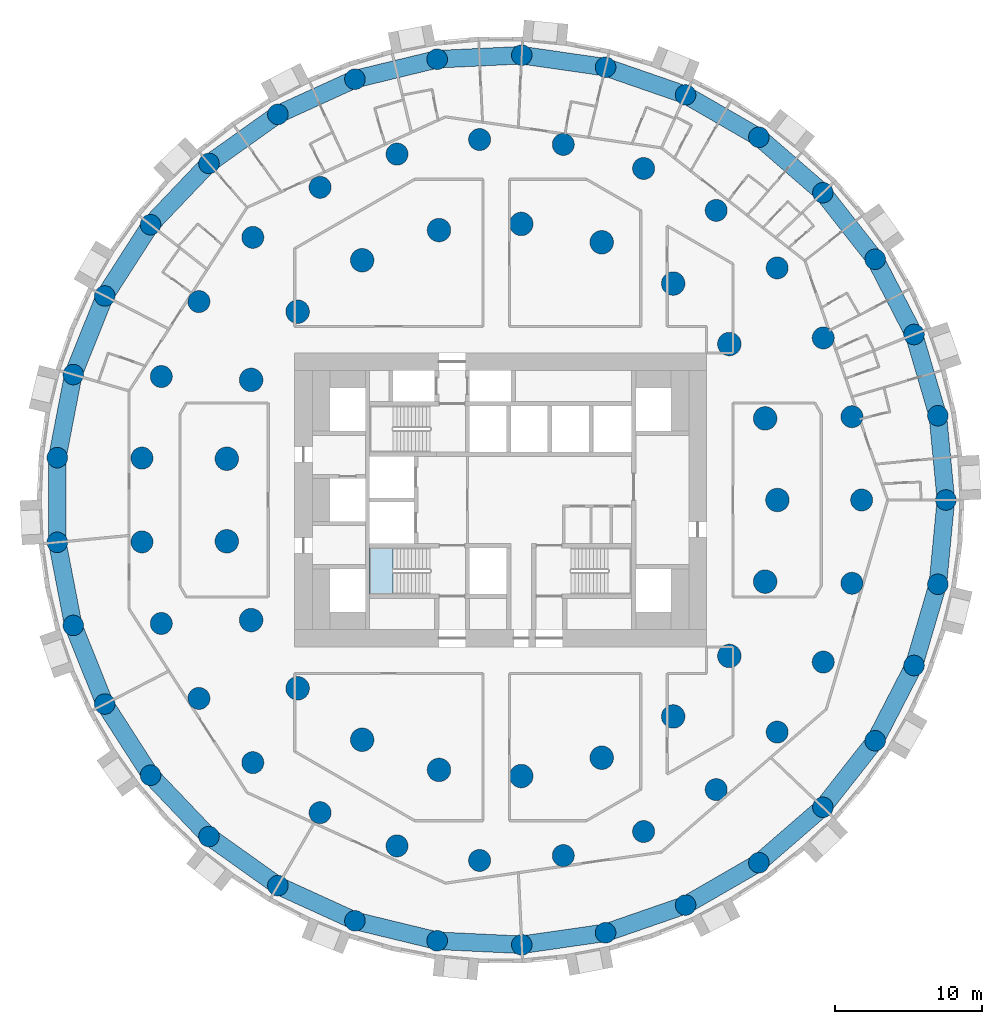
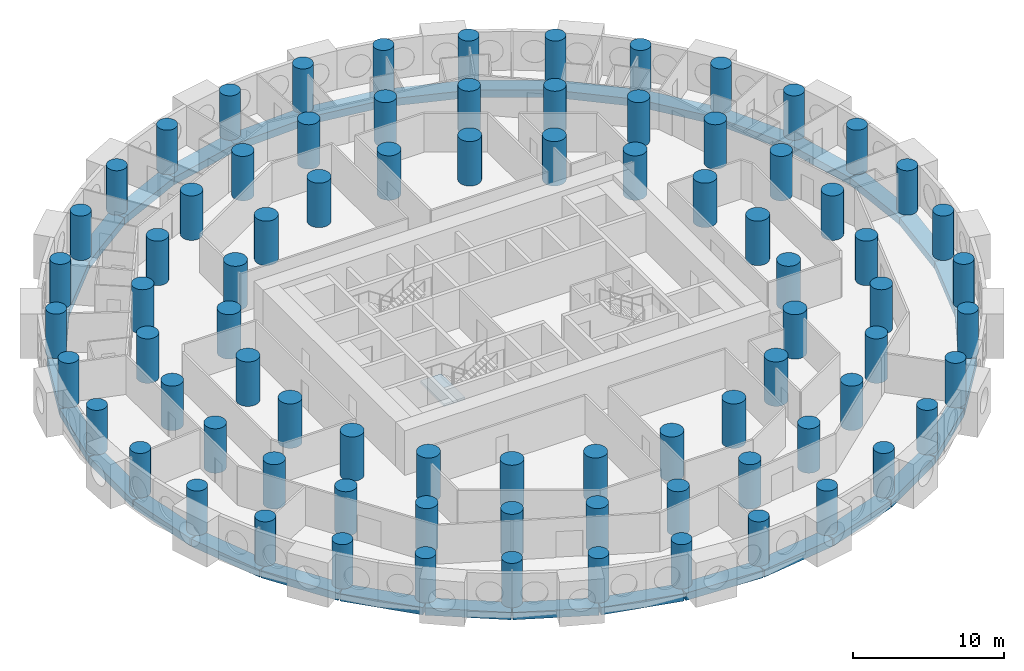
# One storey, part 1 of 12: 81 columns, 33 beams, 1 slab, 1 element without a shape of its own.
"""IFC4 building model written with IfcOpenShell, lengths in metres."""

from ifc_helpers import new_model, si_unit, direction, frame, origin, origin_2d, place, context, subcontext, project, spatial, polyline, rectangle, circle, outline, extrude, material, layer, layer_set, material_profile, profile_set, type_object, element, aggregate, save


model = new_model("IFC4")

# Units and contexts
model_context = context("Model", 3, precision=1e-05, world=origin(), true_north=direction((0.0, 1.0)))
body_context = subcontext(model_context, "Body", "Model", "MODEL_VIEW")
ifc_project = project(units=[si_unit("LENGTHUNIT", "METRE"), si_unit("AREAUNIT", "SQUARE_METRE"), si_unit("VOLUMEUNIT", "CUBIC_METRE"), si_unit("PLANEANGLEUNIT", "RADIAN"), si_unit("MASSUNIT", "GRAM", prefix="KILO")], contexts=[model_context])

# Site, building, storey
site_placement = place(None, origin())
site = spatial("IfcSite", under=ifc_project, at=site_placement, CompositionType="ELEMENT")
building_placement = place(site_placement, origin())
building = spatial("IfcBuilding", under=site, at=building_placement, Name="Tracery Tower", CompositionType="ELEMENT")
storey_placement = place(building_placement, frame((0.0, 0.0, 39.0)))
storey = spatial("IfcBuildingStorey", under=building, at=storey_placement, Name="L08", CompositionType="ELEMENT", Elevation=39.0)

# Columns
ifc_material_1 = material(Name="Concrete C60/75", Category="concrete")
ifc_material_profile_1 = material_profile(ifc_material_1, circle(Radius=0.699951171875, at=origin_2d()), Name="RC D1400")
ifc_profile_set_1 = profile_set([ifc_material_profile_1], Name="Concrete C60/75")
column_type_1 = type_object("IfcColumnType", Name="Ring 0 column 1400", PredefinedType="COLUMN", material=ifc_profile_set_1)
for number, where, z_axis, x_axis, name in (
    (1, (30.274658203125, 0.0, 0.0), (0.0, 0.0, 1.0), (1.0, 0.0, 0.0), "Ring 0 column 00 at L08"),
    (2, (29.7275390625, 5.7294921875, 0.0), (0.0, 0.0, 1.0), (1.0, 0.0, 0.0), "Ring 0 column 01 at L08"),
    (3, (28.10595703125, 11.251953125, 0.0), (0.0, 0.0, 1.0), (1.0, 0.0, 0.0), "Ring 0 column 02 at L08"),
    (4, (25.468505859375, 16.36767578125, 0.0), (0.0, 0.0, 1.0), (1.0, 0.0, 0.0), "Ring 0 column 03 at L08"),
    (5, (21.910888671875, 20.891845703125, 0.0), (0.0, 0.0, 1.0), (1.0, 0.0, 0.0), "Ring 0 column 04 at L08"),
    (6, (17.56103515625, 24.660888671875, 0.0), (0.0, 0.0, 1.0), (1.0, 0.0, 0.0), "Ring 0 column 05 at L08"),
    (7, (12.576416015625, 27.538818359375, 0.0), (0.0, 0.0, 1.0), (1.0, 0.0, 0.0), "Ring 0 column 06 at L08"),
    (8, (7.137451171875, 29.421142578125, 0.0), (0.0, 0.0, 1.0), (1.0, 0.0, 0.0), "Ring 0 column 07 at L08"),
    (9, (1.4404296875, 30.240234375, 0.0), (0.0, 0.0, 1.0), (1.0, 0.0, 0.0), "Ring 0 column 08 at L08"),
    (10, (-4.30859375, 29.96630859375, 0.0), (0.0, 0.0, 1.0), (1.0, 0.0, 0.0), "Ring 0 column 09 at L08"),
    (11, (-9.90185546875, 28.609619140625, 0.0), (0.0, 0.0, 1.0), (1.0, 0.0, 0.0), "Ring 0 column 10 at L08"),
    (12, (-15.13720703125, 26.218505859375, 0.0), (0.0, 0.0, 1.0), (1.0, 0.0, 0.0), "Ring 0 column 11 at L08"),
    (13, (-19.82568359375, 22.8798828125, 0.0), (0.0, 0.0, 1.0), (1.0, 0.0, 0.0), "Ring 0 column 12 at L08"),
    (14, (-23.79736328125, 18.714599609375, 0.0), (0.0, 0.0, 1.0), (1.0, 0.0, 0.0), "Ring 0 column 13 at L08"),
    (15, (-26.9091796875, 13.87255859375, 0.0), (0.0, 0.0, 1.0), (1.0, 0.0, 0.0), "Ring 0 column 14 at L08"),
    (16, (-29.04833984375, 8.529296875, 0.0), (0.0, 0.0, 1.0), (1.0, 0.0, 0.0), "Ring 0 column 15 at L08"),
    (17, (-30.137451171875, 2.877685546875, 0.0), (0.0, 0.0, 1.0), (1.0, 0.0, 0.0), "Ring 0 column 16 at L08"),
    (18, (-30.137451171875, -2.877685546875, 0.0), (0.0, 0.0, 1.0), (1.0, 0.0, 0.0), "Ring 0 column 17 at L08"),
    (19, (-29.04833984375, -8.529296875, 0.0), (0.0, 0.0, 1.0), (1.0, 0.0, 0.0), "Ring 0 column 18 at L08"),
    (20, (-26.9091796875, -13.87255859375, 0.0), (0.0, 0.0, 1.0), (1.0, 0.0, 0.0), "Ring 0 column 19 at L08"),
    (21, (-23.79736328125, -18.714599609375, 0.0), (0.0, 0.0, 1.0), (1.0, 0.0, 0.0), "Ring 0 column 20 at L08"),
    (22, (-19.82568359375, -22.8798828125, 0.0), (0.0, 0.0, 1.0), (1.0, 0.0, 0.0), "Ring 0 column 21 at L08"),
    (23, (-15.13720703125, -26.218505859375, 0.0), (0.0, 0.0, 1.0), (1.0, 0.0, 0.0), "Ring 0 column 22 at L08"),
    (24, (-9.90185546875, -28.609619140625, 0.0), (0.0, 0.0, 1.0), (1.0, 0.0, 0.0), "Ring 0 column 23 at L08"),
    (25, (-4.30859375, -29.96630859375, 0.0), (0.0, 0.0, 1.0), (1.0, 0.0, 0.0), "Ring 0 column 24 at L08"),
    (26, (1.4404296875, -30.240234375, 0.0), (0.0, 0.0, 1.0), (1.0, 0.0, 0.0), "Ring 0 column 25 at L08"),
    (27, (7.137451171875, -29.421142578125, 0.0), (0.0, 0.0, 1.0), (1.0, 0.0, 0.0), "Ring 0 column 26 at L08"),
    (28, (12.576416015625, -27.538818359375, 0.0), (0.0, 0.0, 1.0), (1.0, 0.0, 0.0), "Ring 0 column 27 at L08"),
    (29, (17.56103515625, -24.660888671875, 0.0), (0.0, 0.0, 1.0), (1.0, 0.0, 0.0), "Ring 0 column 28 at L08"),
    (30, (21.910888671875, -20.891845703125, 0.0), (0.0, 0.0, 1.0), (1.0, 0.0, 0.0), "Ring 0 column 29 at L08"),
    (31, (25.468505859375, -16.36767578125, 0.0), (0.0, 0.0, 1.0), (1.0, 0.0, 0.0), "Ring 0 column 30 at L08"),
    (32, (28.10595703125, -11.251953125, 0.0), (0.0, 0.0, 1.0), (1.0, 0.0, 0.0), "Ring 0 column 31 at L08"),
    (33, (29.7275390625, -5.7294921875, 0.0), (0.0, 0.0, 1.0), (1.0, 0.0, 0.0), "Ring 0 column 32 at L08"),
):
    element("IfcColumn", number, at=place(storey_placement, frame(where, z_axis=z_axis, x_axis=x_axis)), inside=storey, type_object=column_type_1, Name=name, PredefinedType="COLUMN", context=body_context, shape_type="SweptSolid", body=[
        extrude(circle(Radius=0.699951171875, at=origin_2d()), origin(), (0.0, 0.0, 1.0), 3.60009765625),
    ])
ifc_material_2 = material(Name="Concrete C60/75", Category="concrete")
ifc_material_profile_2 = material_profile(ifc_material_2, circle(Radius=0.75, at=origin_2d()), Name="RC D1500")
ifc_profile_set_2 = profile_set([ifc_material_profile_2], Name="Concrete C60/75")
column_type_2 = type_object("IfcColumnType", Name="Ring 1 column 1500", PredefinedType="COLUMN", material=ifc_profile_set_2)
for number, where, z_axis, x_axis, name in (
    (34, (24.547607421875, 0.0, 0.0), (0.0, 0.0, 1.0), (1.0, 0.0, 0.0), "Ring 1 column 00 at L08"),
    (35, (23.885986328125, 5.6611328125, 0.0), (0.0, 0.0, 1.0), (1.0, 0.0, 0.0), "Ring 1 column 01 at L08"),
    (36, (21.9365234375, 11.01708984375, 0.0), (0.0, 0.0, 1.0), (1.0, 0.0, 0.0), "Ring 1 column 02 at L08"),
    (37, (18.8046875, 15.779052734375, 0.0), (0.0, 0.0, 1.0), (1.0, 0.0, 0.0), "Ring 1 column 03 at L08"),
    (38, (14.658935546875, 19.690185546875, 0.0), (0.0, 0.0, 1.0), (1.0, 0.0, 0.0), "Ring 1 column 04 at L08"),
    (39, (9.722900390625, 22.5400390625, 0.0), (0.0, 0.0, 1.0), (1.0, 0.0, 0.0), "Ring 1 column 05 at L08"),
    (40, (4.2626953125, 24.1748046875, 0.0), (0.0, 0.0, 1.0), (1.0, 0.0, 0.0), "Ring 1 column 06 at L08"),
    (41, (-1.42724609375, 24.506103515625, 0.0), (0.0, 0.0, 1.0), (1.0, 0.0, 0.0), "Ring 1 column 07 at L08"),
    (42, (-7.040283203125, 23.516357421875, 0.0), (0.0, 0.0, 1.0), (1.0, 0.0, 0.0), "Ring 1 column 08 at L08"),
    (43, (-12.273681640625, 21.2587890625, 0.0), (0.0, 0.0, 1.0), (1.0, 0.0, 0.0), "Ring 1 column 09 at L08"),
    (44, (-16.845703125, 17.855224609375, 0.0), (0.0, 0.0, 1.0), (1.0, 0.0, 0.0), "Ring 1 column 10 at L08"),
    (45, (-20.50927734375, 13.4892578125, 0.0), (0.0, 0.0, 1.0), (1.0, 0.0, 0.0), "Ring 1 column 11 at L08"),
    (46, (-23.0673828125, 8.395751953125, 0.0), (0.0, 0.0, 1.0), (1.0, 0.0, 0.0), "Ring 1 column 12 at L08"),
    (47, (-24.381591796875, 2.849853515625, 0.0), (0.0, 0.0, 1.0), (1.0, 0.0, 0.0), "Ring 1 column 13 at L08"),
    (48, (-24.381591796875, -2.849853515625, 0.0), (0.0, 0.0, 1.0), (1.0, 0.0, 0.0), "Ring 1 column 14 at L08"),
    (49, (-23.0673828125, -8.395751953125, 0.0), (0.0, 0.0, 1.0), (1.0, 0.0, 0.0), "Ring 1 column 15 at L08"),
    (50, (-20.50927734375, -13.4892578125, 0.0), (0.0, 0.0, 1.0), (1.0, 0.0, 0.0), "Ring 1 column 16 at L08"),
    (51, (-16.845703125, -17.85546875, 0.0), (0.0, 0.0, 1.0), (1.0, 0.0, 0.0), "Ring 1 column 17 at L08"),
    (52, (-12.27392578125, -21.2587890625, 0.0), (0.0, 0.0, 1.0), (1.0, 0.0, 0.0), "Ring 1 column 18 at L08"),
    (53, (-7.040283203125, -23.516357421875, 0.0), (0.0, 0.0, 1.0), (1.0, 0.0, 0.0), "Ring 1 column 19 at L08"),
    (54, (-1.42724609375, -24.506103515625, 0.0), (0.0, 0.0, 1.0), (1.0, 0.0, 0.0), "Ring 1 column 20 at L08"),
    (55, (4.2626953125, -24.1748046875, 0.0), (0.0, 0.0, 1.0), (1.0, 0.0, 0.0), "Ring 1 column 21 at L08"),
    (56, (9.722900390625, -22.5400390625, 0.0), (0.0, 0.0, 1.0), (1.0, 0.0, 0.0), "Ring 1 column 22 at L08"),
    (57, (14.658935546875, -19.690185546875, 0.0), (0.0, 0.0, 1.0), (1.0, 0.0, 0.0), "Ring 1 column 23 at L08"),
    (58, (18.8046875, -15.779052734375, 0.0), (0.0, 0.0, 1.0), (1.0, 0.0, 0.0), "Ring 1 column 24 at L08"),
    (59, (21.9365234375, -11.01708984375, 0.0), (0.0, 0.0, 1.0), (1.0, 0.0, 0.0), "Ring 1 column 25 at L08"),
    (60, (23.885986328125, -5.6611328125, 0.0), (0.0, 0.0, 1.0), (1.0, 0.0, 0.0), "Ring 1 column 26 at L08"),
):
    element("IfcColumn", number, at=place(storey_placement, frame(where, z_axis=z_axis, x_axis=x_axis)), inside=storey, type_object=column_type_2, Name=name, PredefinedType="COLUMN", context=body_context, shape_type="SweptSolid", body=[
        extrude(circle(Radius=0.75, at=origin_2d()), origin(), (0.0, 0.0, 1.0), 3.60009765625),
    ])
ifc_material_3 = material(Name="Concrete C60/75", Category="concrete")
ifc_material_profile_3 = material_profile(ifc_material_3, circle(Radius=0.800048828125, at=origin_2d()), Name="RC D1600")
ifc_profile_set_3 = profile_set([ifc_material_profile_3], Name="Concrete C60/75")
column_type_3 = type_object("IfcColumnType", Name="Ring 2 column 1600", PredefinedType="COLUMN", material=ifc_profile_set_3)
for number, where, z_axis, x_axis, name in (
    (61, (18.822265625, 0.0, 0.0), (0.0, 0.0, 1.0), (1.0, 0.0, 0.0), "Ring 2 column 00 at L08"),
    (62, (17.986083984375, 5.5478515625, 0.0), (0.0, 0.0, 1.0), (1.0, 0.0, 0.0), "Ring 2 column 01 at L08"),
    (63, (15.551513671875, 10.602783203125, 0.0), (0.0, 0.0, 1.0), (1.0, 0.0, 0.0), "Ring 2 column 02 at L08"),
    (64, (11.7353515625, 14.7158203125, 0.0), (0.0, 0.0, 1.0), (1.0, 0.0, 0.0), "Ring 2 column 03 at L08"),
    (65, (6.87646484375, 17.52099609375, 0.0), (0.0, 0.0, 1.0), (1.0, 0.0, 0.0), "Ring 2 column 04 at L08"),
    (66, (1.406494140625, 18.76953125, 0.0), (0.0, 0.0, 1.0), (1.0, 0.0, 0.0), "Ring 2 column 05 at L08"),
    (67, (-4.188232421875, 18.350341796875, 0.0), (0.0, 0.0, 1.0), (1.0, 0.0, 0.0), "Ring 2 column 06 at L08"),
    (68, (-9.4111328125, 16.300537109375, 0.0), (0.0, 0.0, 1.0), (1.0, 0.0, 0.0), "Ring 2 column 07 at L08"),
    (69, (-13.797607421875, 12.802490234375, 0.0), (0.0, 0.0, 1.0), (1.0, 0.0, 0.0), "Ring 2 column 08 at L08"),
    (70, (-16.958251953125, 8.16650390625, 0.0), (0.0, 0.0, 1.0), (1.0, 0.0, 0.0), "Ring 2 column 09 at L08"),
    (71, (-18.612060546875, 2.805419921875, 0.0), (0.0, 0.0, 1.0), (1.0, 0.0, 0.0), "Ring 2 column 10 at L08"),
    (72, (-18.612060546875, -2.805419921875, 0.0), (0.0, 0.0, 1.0), (1.0, 0.0, 0.0), "Ring 2 column 11 at L08"),
    (73, (-16.958251953125, -8.166748046875, 0.0), (0.0, 0.0, 1.0), (1.0, 0.0, 0.0), "Ring 2 column 12 at L08"),
    (74, (-13.797607421875, -12.80224609375, 0.0), (0.0, 0.0, 1.0), (1.0, 0.0, 0.0), "Ring 2 column 13 at L08"),
    (75, (-9.4111328125, -16.300537109375, 0.0), (0.0, 0.0, 1.0), (1.0, 0.0, 0.0), "Ring 2 column 14 at L08"),
    (76, (-4.188232421875, -18.350341796875, 0.0), (0.0, 0.0, 1.0), (1.0, 0.0, 0.0), "Ring 2 column 15 at L08"),
    (77, (1.406494140625, -18.76953125, 0.0), (0.0, 0.0, 1.0), (1.0, 0.0, 0.0), "Ring 2 column 16 at L08"),
    (78, (6.87646484375, -17.52099609375, 0.0), (0.0, 0.0, 1.0), (1.0, 0.0, 0.0), "Ring 2 column 17 at L08"),
    (79, (11.7353515625, -14.7158203125, 0.0), (0.0, 0.0, 1.0), (1.0, 0.0, 0.0), "Ring 2 column 18 at L08"),
    (80, (15.551513671875, -10.602783203125, 0.0), (0.0, 0.0, 1.0), (1.0, 0.0, 0.0), "Ring 2 column 19 at L08"),
    (81, (17.986083984375, -5.5478515625, 0.0), (0.0, 0.0, 1.0), (1.0, 0.0, 0.0), "Ring 2 column 20 at L08"),
):
    element("IfcColumn", number, at=place(storey_placement, frame(where, z_axis=z_axis, x_axis=x_axis)), inside=storey, type_object=column_type_3, Name=name, PredefinedType="COLUMN", context=body_context, shape_type="SweptSolid", body=[
        extrude(circle(Radius=0.800048828125, at=origin_2d()), origin(), (0.0, 0.0, 1.0), 3.60009765625),
    ])

# Beams
ifc_material_4 = material(Name="Concrete C60/75", Category="concrete")
ifc_material_profile_4 = material_profile(ifc_material_4, rectangle(XDim=1.199951171875, YDim=0.60009765625, at=origin_2d()), Name="RC 1200x600")
ifc_profile_set_4 = profile_set([ifc_material_profile_4], Name="Concrete C60/75")
beam_type = type_object("IfcBeamType", Name="Perimeter band beam 1200x600", PredefinedType="BEAM", material=ifc_profile_set_4)
for number, where, z_axis, x_axis, name in (
    (82, (30.274658203125, 0.0, -0.75), (-0.095059309677, 0.995471610667, 0.0), (-0.995471610667, -0.095059309677, 0.0), "Perimeter beam 0.00 under L08"),
    (83, (29.7275390625, 5.7294921875, -0.75), (-0.281739145896, 0.959491038869, 0.0), (-0.959491038869, -0.281739145896, 0.0), "Perimeter beam 0.01 under L08"),
    (84, (28.10595703125, 11.251953125, -0.75), (-0.458242010493, 0.88882746347, 0.0), (-0.88882746347, -0.458242010493, 0.0), "Perimeter beam 0.02 under L08"),
):
    element("IfcBeam", number, at=place(storey_placement, frame(where, z_axis=z_axis, x_axis=x_axis)), inside=storey, type_object=beam_type, Name=name, PredefinedType="BEAM", context=body_context, shape_type="SweptSolid", body=[
        extrude(rectangle(XDim=1.199951171875, YDim=0.60009765625, at=origin_2d()), origin(), (0.0, 0.0, 1.0), 5.755615234375),
    ])
beam_1_placement = place(storey_placement, frame((25.468505859375, 16.36767578125, -0.75), z_axis=(-0.618134362257, 0.786072458618, 0.0), x_axis=(-0.786072458618, -0.618134362257, 0.0)))
element("IfcBeam", 85, at=beam_1_placement, inside=storey, type_object=beam_type, Name="Perimeter beam 0.03 under L08", PredefinedType="BEAM", context=body_context, shape_type="SweptSolid", body=[
    extrude(rectangle(XDim=1.199951171875, YDim=0.60009765625, at=origin_2d()), origin(), (0.0, 0.0, 1.0), 5.75537109375),
])
beam_2_placement = place(storey_placement, frame((21.910888671875, 20.891845703125, -0.75), z_axis=(-0.755760456715, 0.65484817482, 0.0), x_axis=(-0.65484817482, -0.755760456715, 0.0)))
element("IfcBeam", 86, at=beam_2_placement, inside=storey, type_object=beam_type, Name="Perimeter beam 0.04 under L08", PredefinedType="BEAM", context=body_context, shape_type="SweptSolid", body=[
    extrude(rectangle(XDim=1.199951171875, YDim=0.60009765625, at=origin_2d()), origin(), (0.0, 0.0, 1.0), 5.755615234375),
])
beam_3_placement = place(storey_placement, frame((17.56103515625, 24.660888671875, -0.75), z_axis=(-0.866021003874, 0.50000762079, 0.0), x_axis=(-0.50000762079, -0.866021003874, 0.0)))
element("IfcBeam", 87, at=beam_3_placement, inside=storey, type_object=beam_type, Name="Perimeter beam 0.05 under L08", PredefinedType="BEAM", context=body_context, shape_type="SweptSolid", body=[
    extrude(rectangle(XDim=1.199951171875, YDim=0.60009765625, at=origin_2d()), origin(), (0.0, 0.0, 1.0), 5.755859375),
])
beam_4_placement = place(storey_placement, frame((12.576416015625, 27.538818359375, -0.75), z_axis=(-0.945007252869, 0.327049372458, 0.0), x_axis=(-0.327049372458, -0.945007252869, 0.0)))
element("IfcBeam", 88, at=beam_4_placement, inside=storey, type_object=beam_type, Name="Perimeter beam 0.06 under L08", PredefinedType="BEAM", context=body_context, shape_type="SweptSolid", body=[
    extrude(rectangle(XDim=1.199951171875, YDim=0.60009765625, at=origin_2d()), origin(), (0.0, 0.0, 1.0), 5.75537109375),
])
for number, where, z_axis, x_axis, name in (
    (89, (7.137451171875, 29.421142578125, -0.75), (-0.989821839174, 0.142312075013, 0.0), (-0.142312075013, -0.989821839174, 0.0), "Perimeter beam 0.07 under L08"),
    (90, (1.4404296875, 30.240234375, -0.75), (-0.998866793759, -0.047593364303, 0.0), (0.047593364303, -0.998866793759, 0.0), "Perimeter beam 0.08 under L08"),
):
    element("IfcBeam", number, at=place(storey_placement, frame(where, z_axis=z_axis, x_axis=x_axis)), inside=storey, type_object=beam_type, Name=name, PredefinedType="BEAM", context=body_context, shape_type="SweptSolid", body=[
        extrude(rectangle(XDim=1.199951171875, YDim=0.60009765625, at=origin_2d()), origin(), (0.0, 0.0, 1.0), 5.755615234375),
    ])
beam_5_placement = place(storey_placement, frame((-4.30859375, 29.96630859375, -0.75), z_axis=(-0.971820371509, -0.235722645328, 0.0), x_axis=(0.235722645328, -0.971820371509, 0.0)))
element("IfcBeam", 91, at=beam_5_placement, inside=storey, type_object=beam_type, Name="Perimeter beam 0.09 under L08", PredefinedType="BEAM", context=body_context, shape_type="SweptSolid", body=[
    extrude(rectangle(XDim=1.199951171875, YDim=0.60009765625, at=origin_2d()), origin(), (0.0, 0.0, 1.0), 5.75537109375),
])
for number, where, z_axis, x_axis, name in (
    (92, (-9.90185546875, 28.609619140625, -0.75), (-0.909618316865, -0.415444963411, 0.0), (0.415444963411, -0.909618316865, 0.0), "Perimeter beam 0.10 under L08"),
    (93, (-15.13720703125, 26.218505859375, -0.75), (-0.8145780864, -0.580053912285, 0.0), (0.580053912285, -0.8145780864, 0.0), "Perimeter beam 0.11 under L08"),
):
    element("IfcBeam", number, at=place(storey_placement, frame(where, z_axis=z_axis, x_axis=x_axis)), inside=storey, type_object=beam_type, Name=name, PredefinedType="BEAM", context=body_context, shape_type="SweptSolid", body=[
        extrude(rectangle(XDim=1.199951171875, YDim=0.60009765625, at=origin_2d()), origin(), (0.0, 0.0, 1.0), 5.755615234375),
    ])
beam_6_placement = place(storey_placement, frame((-19.82568359375, 22.8798828125, -0.75), z_axis=(-0.690087218267, -0.723726212863, 0.0), x_axis=(0.723726212863, -0.690087218267, 0.0)))
element("IfcBeam", 94, at=beam_6_placement, inside=storey, type_object=beam_type, Name="Perimeter beam 0.12 under L08", PredefinedType="BEAM", context=body_context, shape_type="SweptSolid", body=[
    extrude(rectangle(XDim=1.199951171875, YDim=0.60009765625, at=origin_2d()), origin(), (0.0, 0.0, 1.0), 5.75537109375),
])
beam_7_placement = place(storey_placement, frame((-23.79736328125, 18.714599609375, -0.75), z_axis=(-0.540643964602, -0.841251510274, 0.0), x_axis=(0.841251510274, -0.540643964602, 0.0)))
element("IfcBeam", 95, at=beam_7_placement, inside=storey, type_object=beam_type, Name="Perimeter beam 0.13 under L08", PredefinedType="BEAM", context=body_context, shape_type="SweptSolid", body=[
    extrude(rectangle(XDim=1.199951171875, YDim=0.60009765625, at=origin_2d()), origin(), (0.0, 0.0, 1.0), 5.755859375),
])
for number, where, z_axis, x_axis, name in (
    (96, (-26.9091796875, 13.87255859375, -0.75), (-0.371668572289, -0.928365484264, 0.0), (0.928365484264, -0.371668572289, 0.0), "Perimeter beam 0.14 under L08"),
    (97, (-29.04833984375, 8.529296875, -0.75), (-0.189226539295, -0.981933458451, 0.0), (0.981933458451, -0.189226539295, 0.0), "Perimeter beam 0.15 under L08"),
):
    element("IfcBeam", number, at=place(storey_placement, frame(where, z_axis=z_axis, x_axis=x_axis)), inside=storey, type_object=beam_type, Name=name, PredefinedType="BEAM", context=body_context, shape_type="SweptSolid", body=[
        extrude(rectangle(XDim=1.199951171875, YDim=0.60009765625, at=origin_2d()), origin(), (0.0, 0.0, 1.0), 5.755615234375),
    ])
beam_8_placement = place(storey_placement, frame((-30.137451171875, 2.877685546875, -0.75), z_axis=(0.0, -1.0, 0.0), x_axis=(1.0, 0.0, 0.0)))
element("IfcBeam", 98, at=beam_8_placement, inside=storey, type_object=beam_type, Name="Perimeter beam 0.16 under L08", PredefinedType="BEAM", context=body_context, shape_type="SweptSolid", body=[
    extrude(rectangle(XDim=1.199951171875, YDim=0.60009765625, at=origin_2d()), origin(), (0.0, 0.0, 1.0), 5.75537109375),
])
for number, where, z_axis, x_axis, name in (
    (99, (-30.137451171875, -2.877685546875, -0.75), (0.189226539295, -0.981933458451, 0.0), (0.981933458451, 0.189226539295, 0.0), "Perimeter beam 0.17 under L08"),
    (100, (-29.04833984375, -8.529296875, -0.75), (0.371668572289, -0.928365484264, 0.0), (0.928365484264, 0.371668572289, 0.0), "Perimeter beam 0.18 under L08"),
):
    element("IfcBeam", number, at=place(storey_placement, frame(where, z_axis=z_axis, x_axis=x_axis)), inside=storey, type_object=beam_type, Name=name, PredefinedType="BEAM", context=body_context, shape_type="SweptSolid", body=[
        extrude(rectangle(XDim=1.199951171875, YDim=0.60009765625, at=origin_2d()), origin(), (0.0, 0.0, 1.0), 5.755615234375),
    ])
beam_9_placement = place(storey_placement, frame((-26.9091796875, -13.87255859375, -0.75), z_axis=(0.540643964602, -0.841251510274, 0.0), x_axis=(0.841251510274, 0.540643964602, 0.0)))
element("IfcBeam", 101, at=beam_9_placement, inside=storey, type_object=beam_type, Name="Perimeter beam 0.19 under L08", PredefinedType="BEAM", context=body_context, shape_type="SweptSolid", body=[
    extrude(rectangle(XDim=1.199951171875, YDim=0.60009765625, at=origin_2d()), origin(), (0.0, 0.0, 1.0), 5.755859375),
])
beam_10_placement = place(storey_placement, frame((-23.79736328125, -18.714599609375, -0.75), z_axis=(0.690087218267, -0.723726212863, 0.0), x_axis=(0.723726212863, 0.690087218267, 0.0)))
element("IfcBeam", 102, at=beam_10_placement, inside=storey, type_object=beam_type, Name="Perimeter beam 0.20 under L08", PredefinedType="BEAM", context=body_context, shape_type="SweptSolid", body=[
    extrude(rectangle(XDim=1.199951171875, YDim=0.60009765625, at=origin_2d()), origin(), (0.0, 0.0, 1.0), 5.75537109375),
])
for number, where, z_axis, x_axis, name in (
    (103, (-19.82568359375, -22.8798828125, -0.75), (0.8145780864, -0.580053912285, 0.0), (0.580053912285, 0.8145780864, 0.0), "Perimeter beam 0.21 under L08"),
    (104, (-15.13720703125, -26.218505859375, -0.75), (0.909618316865, -0.415444963411, 0.0), (0.415444963411, 0.909618316865, 0.0), "Perimeter beam 0.22 under L08"),
):
    element("IfcBeam", number, at=place(storey_placement, frame(where, z_axis=z_axis, x_axis=x_axis)), inside=storey, type_object=beam_type, Name=name, PredefinedType="BEAM", context=body_context, shape_type="SweptSolid", body=[
        extrude(rectangle(XDim=1.199951171875, YDim=0.60009765625, at=origin_2d()), origin(), (0.0, 0.0, 1.0), 5.755615234375),
    ])
beam_11_placement = place(storey_placement, frame((-9.90185546875, -28.609619140625, -0.75), z_axis=(0.971820371509, -0.235722645328, 0.0), x_axis=(0.235722645328, 0.971820371509, 0.0)))
element("IfcBeam", 105, at=beam_11_placement, inside=storey, type_object=beam_type, Name="Perimeter beam 0.23 under L08", PredefinedType="BEAM", context=body_context, shape_type="SweptSolid", body=[
    extrude(rectangle(XDim=1.199951171875, YDim=0.60009765625, at=origin_2d()), origin(), (0.0, 0.0, 1.0), 5.75537109375),
])
for number, where, z_axis, x_axis, name in (
    (106, (-4.30859375, -29.96630859375, -0.75), (0.998866793759, -0.047593364303, 0.0), (0.047593364303, 0.998866793759, 0.0), "Perimeter beam 0.24 under L08"),
    (107, (1.4404296875, -30.240234375, -0.75), (0.989821839174, 0.142312075013, 0.0), (-0.142312075013, 0.989821839174, 0.0), "Perimeter beam 0.25 under L08"),
):
    element("IfcBeam", number, at=place(storey_placement, frame(where, z_axis=z_axis, x_axis=x_axis)), inside=storey, type_object=beam_type, Name=name, PredefinedType="BEAM", context=body_context, shape_type="SweptSolid", body=[
        extrude(rectangle(XDim=1.199951171875, YDim=0.60009765625, at=origin_2d()), origin(), (0.0, 0.0, 1.0), 5.755615234375),
    ])
beam_12_placement = place(storey_placement, frame((7.137451171875, -29.421142578125, -0.75), z_axis=(0.945007252869, 0.327049372458, 0.0), x_axis=(-0.327049372458, 0.945007252869, 0.0)))
element("IfcBeam", 108, at=beam_12_placement, inside=storey, type_object=beam_type, Name="Perimeter beam 0.26 under L08", PredefinedType="BEAM", context=body_context, shape_type="SweptSolid", body=[
    extrude(rectangle(XDim=1.199951171875, YDim=0.60009765625, at=origin_2d()), origin(), (0.0, 0.0, 1.0), 5.75537109375),
])
beam_13_placement = place(storey_placement, frame((12.576416015625, -27.538818359375, -0.75), z_axis=(0.866021003874, 0.50000762079, 0.0), x_axis=(-0.50000762079, 0.866021003874, 0.0)))
element("IfcBeam", 109, at=beam_13_placement, inside=storey, type_object=beam_type, Name="Perimeter beam 0.27 under L08", PredefinedType="BEAM", context=body_context, shape_type="SweptSolid", body=[
    extrude(rectangle(XDim=1.199951171875, YDim=0.60009765625, at=origin_2d()), origin(), (0.0, 0.0, 1.0), 5.755859375),
])
beam_14_placement = place(storey_placement, frame((17.56103515625, -24.660888671875, -0.75), z_axis=(0.755760456715, 0.65484817482, 0.0), x_axis=(-0.65484817482, 0.755760456715, 0.0)))
element("IfcBeam", 110, at=beam_14_placement, inside=storey, type_object=beam_type, Name="Perimeter beam 0.28 under L08", PredefinedType="BEAM", context=body_context, shape_type="SweptSolid", body=[
    extrude(rectangle(XDim=1.199951171875, YDim=0.60009765625, at=origin_2d()), origin(), (0.0, 0.0, 1.0), 5.755615234375),
])
beam_15_placement = place(storey_placement, frame((21.910888671875, -20.891845703125, -0.75), z_axis=(0.618134362257, 0.786072458618, 0.0), x_axis=(-0.786072458618, 0.618134362257, 0.0)))
element("IfcBeam", 111, at=beam_15_placement, inside=storey, type_object=beam_type, Name="Perimeter beam 0.29 under L08", PredefinedType="BEAM", context=body_context, shape_type="SweptSolid", body=[
    extrude(rectangle(XDim=1.199951171875, YDim=0.60009765625, at=origin_2d()), origin(), (0.0, 0.0, 1.0), 5.75537109375),
])
for number, where, z_axis, x_axis, name in (
    (112, (25.468505859375, -16.36767578125, -0.75), (0.458242010493, 0.88882746347, 0.0), (-0.88882746347, 0.458242010493, 0.0), "Perimeter beam 0.30 under L08"),
    (113, (28.10595703125, -11.251953125, -0.75), (0.281739145896, 0.959491038869, 0.0), (-0.959491038869, 0.281739145896, 0.0), "Perimeter beam 0.31 under L08"),
    (114, (29.7275390625, -5.7294921875, -0.75), (0.095059309677, 0.995471610667, 0.0), (-0.995471610667, 0.095059309677, 0.0), "Perimeter beam 0.32 under L08"),
):
    element("IfcBeam", number, at=place(storey_placement, frame(where, z_axis=z_axis, x_axis=x_axis)), inside=storey, type_object=beam_type, Name=name, PredefinedType="BEAM", context=body_context, shape_type="SweptSolid", body=[
        extrude(rectangle(XDim=1.199951171875, YDim=0.60009765625, at=origin_2d()), origin(), (0.0, 0.0, 1.0), 5.755615234375),
    ])

# Stair, slab
ifc_material_5 = material(Name="Concrete C32/40", Category="concrete")
stair_type = type_object("IfcStairType", Name="Core stair 22 risers", PredefinedType="HALF_TURN_STAIR", material=ifc_material_5)
stair_placement = place(storey_placement, origin())
stair = element("IfcStair", 115, at=stair_placement, inside=storey, type_object=stair_type, Name="L08 stair ST1", PredefinedType="HALF_TURN_STAIR")
ifc_material_6 = material(Name="Concrete C32/40", Category="concrete")
ifc_layer = layer(ifc_material_6, 0.199951171875)
ifc_layer_set = layer_set([ifc_layer], Name="Stair landing slab 200")
slab_type = type_object("IfcSlabType", Name="Stair landing slab 200", PredefinedType="LANDING", material=ifc_layer_set)
slab_placement = place(storey_placement, frame((0.0, 0.0, 1.60009765625)))
slab = element("IfcSlab", 116, at=slab_placement, type_object=slab_type, Name="ST1 landing 1", PredefinedType="LANDING", context=body_context, shape_type="SweptSolid", body=[
    extrude(outline(polyline([(-7.29931640625, -3.25), (-8.89990234375, -3.25), (-8.89990234375, -6.39990234375), (-7.29931640625, -6.39990234375), (-7.29931640625, -3.25)])), origin(), (0.0, 0.0, 1.0), 0.199951171875),
])
aggregate(stair, [slab])

save(model, "model.ifc")
